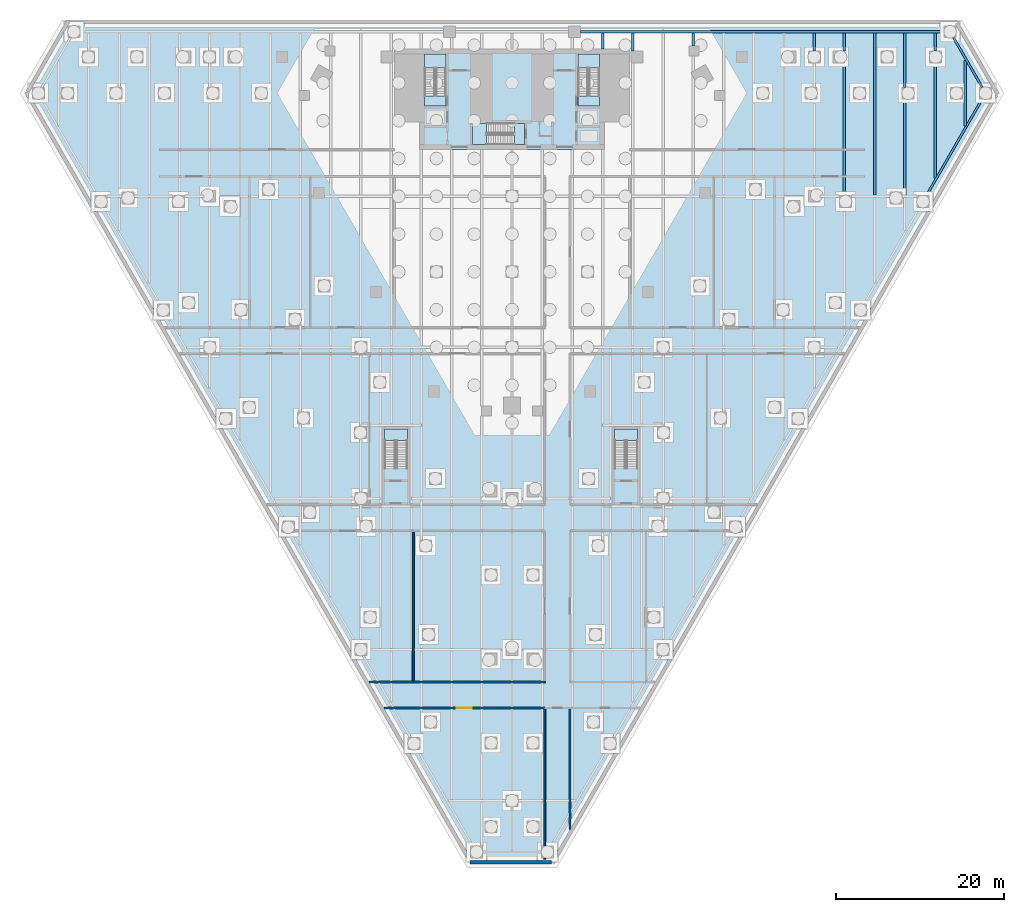
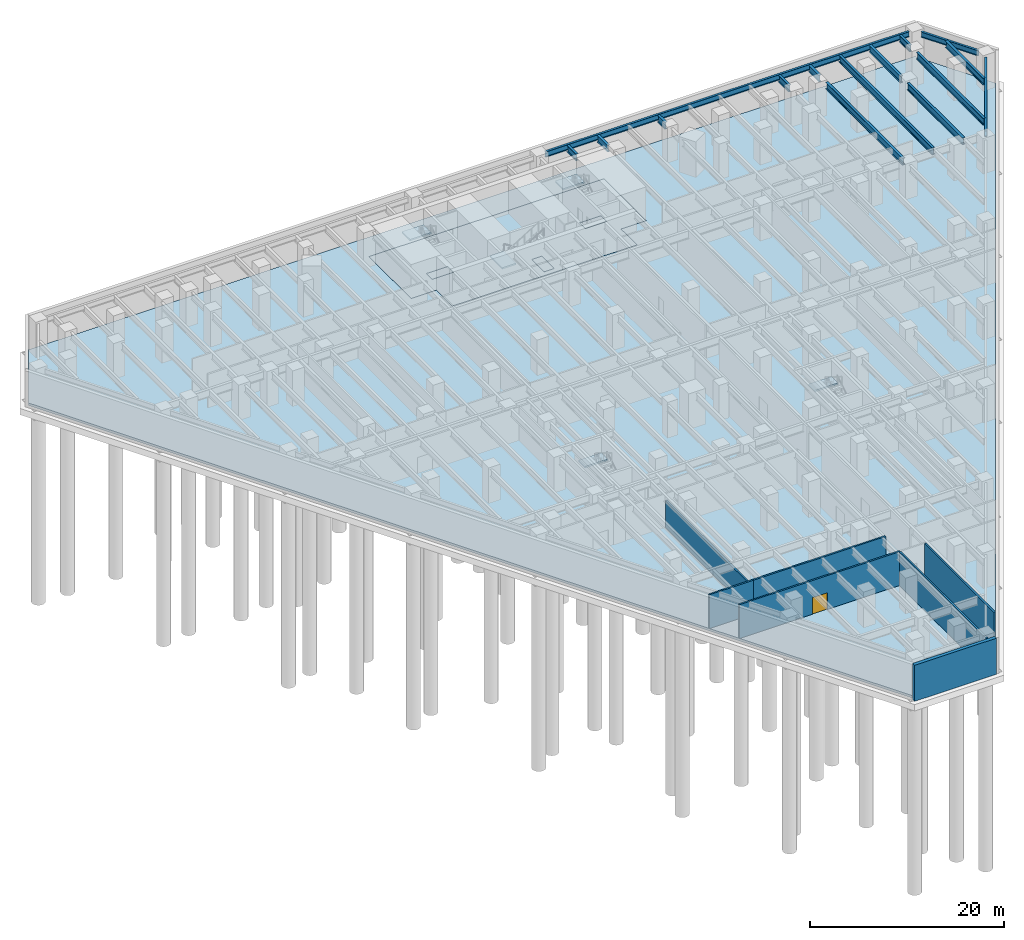
# One storey, part 6 of 18: 15 beams, 10 slabs, 7 walls, 1 door, 1 opening, 5 elements without a shape of their own.
"""IFC4 building model written with IfcOpenShell, lengths in metres."""

from ifc_helpers import new_model, si_unit, direction, frame, frame_2d, origin, origin_2d, place, context, subcontext, project, spatial, polyline, rectangle, i_section, outline, extrude, material, layer, layer_set, material_profile, profile_set, type_object, element, fill, aggregate, save


model = new_model("IFC4")

# Units and contexts
model_context = context("Model", 3, precision=1e-05, world=origin(), true_north=direction((0.0, 1.0)))
body_context = subcontext(model_context, "Body", "Model", "MODEL_VIEW")
ifc_project = project(units=[si_unit("LENGTHUNIT", "METRE"), si_unit("AREAUNIT", "SQUARE_METRE"), si_unit("VOLUMEUNIT", "CUBIC_METRE"), si_unit("PLANEANGLEUNIT", "RADIAN"), si_unit("MASSUNIT", "GRAM", prefix="KILO")], contexts=[model_context])

# Site, building, storey
site_placement = place(None, origin())
site = spatial("IfcSite", under=ifc_project, at=site_placement, CompositionType="ELEMENT")
building_placement = place(site_placement, origin())
building = spatial("IfcBuilding", under=site, at=building_placement, Name="Aloe Facet Convention Tower", CompositionType="ELEMENT")
storey_placement = place(building_placement, frame((0.0, 0.0, -9.0)))
storey = spatial("IfcBuildingStorey", under=building, at=storey_placement, Name="B2", CompositionType="ELEMENT", Elevation=-9.0)

# Beams
ifc_material_1 = material(Name="Steel S355", Category="steel")
ifc_material_profile_1 = material_profile(ifc_material_1, i_section(OverallWidth=0.25439453125, OverallDepth=0.6875, WebThickness=0.01318359375, FlangeThickness=0.02099609375, FilletRadius=0.01513671875, at=origin_2d()), Name="UB 686x254x152")
ifc_profile_set_1 = profile_set([ifc_material_profile_1], Name="Steel S355")
beam_type_1 = type_object("IfcBeamType", Name="SF-B-UB686x254x152", PredefinedType="BEAM", material=ifc_profile_set_1)
beam_1_placement = place(storey_placement, frame((88.156005859375, 136.60009765625, 3.90625), z_axis=(1.0, 0.0, 0.0), x_axis=(0.0, 1.0, 0.0)))
element("IfcBeam", 1, at=beam_1_placement, inside=storey, type_object=beam_type_1, Name="Floor beam FB-B1-012", PredefinedType="BEAM", context=body_context, shape_type="SweptSolid", body=[
    extrude(i_section(OverallWidth=0.25439453125, OverallDepth=0.6875, WebThickness=0.01318359375, FlangeThickness=0.02099609375, FilletRadius=0.01513671875, at=origin_2d()), origin(), (0.0, 0.0, 1.0), 43.3349609375),
])
beam_2_placement = place(storey_placement, frame((132.595458984375, 135.89990234375, 3.90625), z_axis=(0.499990572262, -0.866030846823, 0.0), x_axis=(0.866030846823, 0.499990572262, 0.0)))
element("IfcBeam", 2, at=beam_2_placement, inside=storey, type_object=beam_type_1, Name="Floor beam FB-B1-019", PredefinedType="BEAM", context=body_context, shape_type="SweptSolid", body=[
    extrude(i_section(OverallWidth=0.25439453125, OverallDepth=0.6875, WebThickness=0.01318359375, FlangeThickness=0.02099609375, FilletRadius=0.01513671875, at=origin_2d()), origin(), (0.0, 0.0, 1.0), 6.831298828125),
])
beam_3_placement = place(storey_placement, frame((136.0107421875, 128.583984375, 3.90625), z_axis=(-0.50000804238, -0.866020760464, 0.0), x_axis=(0.866020760464, -0.50000804238, 0.0)))
element("IfcBeam", 3, at=beam_3_placement, inside=storey, type_object=beam_type_1, Name="Floor beam FB-B1-020", PredefinedType="BEAM", context=body_context, shape_type="SweptSolid", body=[
    extrude(i_section(OverallWidth=0.25439453125, OverallDepth=0.6875, WebThickness=0.01318359375, FlangeThickness=0.02099609375, FilletRadius=0.01513671875, at=origin_2d()), origin(), (0.0, 0.0, 1.0), 13.295166015625),
])
ifc_material_2 = material(Name="Steel S355", Category="steel")
ifc_material_profile_2 = material_profile(ifc_material_2, i_section(OverallWidth=0.293701171875, OverallDepth=0.850830078125, WebThickness=0.01611328125, FlangeThickness=0.02685546875, FilletRadius=0.017822265625, at=origin_2d()), Name="UB 838x292x226")
ifc_profile_set_2 = profile_set([ifc_material_profile_2], Name="Steel S355")
beam_type_2 = type_object("IfcBeamType", Name="SF-B-UB838x292x226", PredefinedType="BEAM", material=ifc_profile_set_2)
beam_4_placement = place(storey_placement, frame((90.800048828125, 134.550048828125, 3.82470703125), z_axis=(0.0, 1.0, 0.0), x_axis=(-1.0, 0.0, 0.0)))
element("IfcBeam", 4, at=beam_4_placement, inside=storey, type_object=beam_type_2, Name="Floor beam FB-B1-149", PredefinedType="BEAM", context=body_context, shape_type="SweptSolid", body=[
    extrude(i_section(OverallWidth=0.293701171875, OverallDepth=0.850830078125, WebThickness=0.01611328125, FlangeThickness=0.02685546875, FilletRadius=0.017822265625, at=origin_2d()), origin(), (0.0, 0.0, 1.0), 1.91259765625),
])
beam_5_placement = place(storey_placement, frame((94.39990234375, 134.300048828125, 3.82470703125), z_axis=(0.0, 1.0, 0.0), x_axis=(-1.0, 0.0, 0.0)))
element("IfcBeam", 5, at=beam_5_placement, inside=storey, type_object=beam_type_2, Name="Floor beam FB-B1-156", PredefinedType="BEAM", context=body_context, shape_type="SweptSolid", body=[
    extrude(i_section(OverallWidth=0.293701171875, OverallDepth=0.850830078125, WebThickness=0.01611328125, FlangeThickness=0.02685546875, FilletRadius=0.017822265625, at=origin_2d()), origin(), (0.0, 0.0, 1.0), 2.16259765625),
])
beam_6_placement = place(storey_placement, frame((101.60009765625, 134.89990234375, 3.82470703125), z_axis=(0.0, 1.0, 0.0), x_axis=(-1.0, 0.0, 0.0)))
element("IfcBeam", 6, at=beam_6_placement, inside=storey, type_object=beam_type_2, Name="Floor beam FB-B1-168", PredefinedType="BEAM", context=body_context, shape_type="SweptSolid", body=[
    extrude(i_section(OverallWidth=0.293701171875, OverallDepth=0.850830078125, WebThickness=0.01611328125, FlangeThickness=0.02685546875, FilletRadius=0.017822265625, at=origin_2d()), origin(), (0.0, 0.0, 1.0), 1.562744140625),
])
beam_7_placement = place(storey_placement, frame((116.0, 134.300048828125, 3.82470703125), z_axis=(0.0, 1.0, 0.0), x_axis=(-1.0, 0.0, 0.0)))
element("IfcBeam", 7, at=beam_7_placement, inside=storey, type_object=beam_type_2, Name="Floor beam FB-B1-187", PredefinedType="BEAM", context=body_context, shape_type="SweptSolid", body=[
    extrude(i_section(OverallWidth=0.293701171875, OverallDepth=0.850830078125, WebThickness=0.01611328125, FlangeThickness=0.02685546875, FilletRadius=0.017822265625, at=origin_2d()), origin(), (0.0, 0.0, 1.0), 2.16259765625),
])
beam_8_placement = place(storey_placement, frame((119.60009765625, 117.0849609375, 3.82470703125), z_axis=(0.0, 1.0, 0.0), x_axis=(-1.0, 0.0, 0.0)))
element("IfcBeam", 8, at=beam_8_placement, inside=storey, type_object=beam_type_2, Name="Floor beam FB-B1-189", PredefinedType="BEAM", context=body_context, shape_type="SweptSolid", body=[
    extrude(i_section(OverallWidth=0.293701171875, OverallDepth=0.850830078125, WebThickness=0.01611328125, FlangeThickness=0.02685546875, FilletRadius=0.017822265625, at=origin_2d()), origin(), (0.0, 0.0, 1.0), 15.81494140625),
])
beam_9_placement = place(storey_placement, frame((119.60009765625, 134.300048828125, 3.82470703125), z_axis=(0.0, 1.0, 0.0), x_axis=(-1.0, 0.0, 0.0)))
element("IfcBeam", 9, at=beam_9_placement, inside=storey, type_object=beam_type_2, Name="Floor beam FB-B1-190", PredefinedType="BEAM", context=body_context, shape_type="SweptSolid", body=[
    extrude(i_section(OverallWidth=0.293701171875, OverallDepth=0.850830078125, WebThickness=0.01611328125, FlangeThickness=0.02685546875, FilletRadius=0.017822265625, at=origin_2d()), origin(), (0.0, 0.0, 1.0), 2.16259765625),
])
beam_10_placement = place(storey_placement, frame((123.199951171875, 117.152587890625, 3.82470703125), z_axis=(0.0, 1.0, 0.0), x_axis=(-1.0, 0.0, 0.0)))
element("IfcBeam", 10, at=beam_10_placement, inside=storey, type_object=beam_type_2, Name="Floor beam FB-B1-192", PredefinedType="BEAM", context=body_context, shape_type="SweptSolid", body=[
    extrude(i_section(OverallWidth=0.293701171875, OverallDepth=0.850830078125, WebThickness=0.01611328125, FlangeThickness=0.02685546875, FilletRadius=0.017822265625, at=origin_2d()), origin(), (0.0, 0.0, 1.0), 19.31005859375),
])
beam_11_placement = place(storey_placement, frame((126.800048828125, 117.152587890625, 3.82470703125), z_axis=(0.0, 1.0, 0.0), x_axis=(-1.0, 0.0, 0.0)))
element("IfcBeam", 11, at=beam_11_placement, inside=storey, type_object=beam_type_2, Name="Floor beam FB-B1-194", PredefinedType="BEAM", context=body_context, shape_type="SweptSolid", body=[
    extrude(i_section(OverallWidth=0.293701171875, OverallDepth=0.850830078125, WebThickness=0.01611328125, FlangeThickness=0.02685546875, FilletRadius=0.017822265625, at=origin_2d()), origin(), (0.0, 0.0, 1.0), 11.431396484375),
])
beam_12_placement = place(storey_placement, frame((126.800048828125, 129.98388671875, 3.82470703125), z_axis=(0.0, 1.0, 0.0), x_axis=(-1.0, 0.0, 0.0)))
element("IfcBeam", 12, at=beam_12_placement, inside=storey, type_object=beam_type_2, Name="Floor beam FB-B1-195", PredefinedType="BEAM", context=body_context, shape_type="SweptSolid", body=[
    extrude(i_section(OverallWidth=0.293701171875, OverallDepth=0.850830078125, WebThickness=0.01611328125, FlangeThickness=0.02685546875, FilletRadius=0.017822265625, at=origin_2d()), origin(), (0.0, 0.0, 1.0), 6.478759765625),
])
beam_13_placement = place(storey_placement, frame((130.39990234375, 119.13037109375, 3.82470703125), z_axis=(0.0, 1.0, 0.0), x_axis=(-1.0, 0.0, 0.0)))
element("IfcBeam", 13, at=beam_13_placement, inside=storey, type_object=beam_type_2, Name="Floor beam FB-B1-196", PredefinedType="BEAM", context=body_context, shape_type="SweptSolid", body=[
    extrude(i_section(OverallWidth=0.293701171875, OverallDepth=0.850830078125, WebThickness=0.01611328125, FlangeThickness=0.02685546875, FilletRadius=0.017822265625, at=origin_2d()), origin(), (0.0, 0.0, 1.0), 13.76953125),
])
beam_14_placement = place(storey_placement, frame((130.39990234375, 134.300048828125, 3.82470703125), z_axis=(0.0, 1.0, 0.0), x_axis=(-1.0, 0.0, 0.0)))
element("IfcBeam", 14, at=beam_14_placement, inside=storey, type_object=beam_type_2, Name="Floor beam FB-B1-197", PredefinedType="BEAM", context=body_context, shape_type="SweptSolid", body=[
    extrude(i_section(OverallWidth=0.293701171875, OverallDepth=0.850830078125, WebThickness=0.01611328125, FlangeThickness=0.02685546875, FilletRadius=0.017822265625, at=origin_2d()), origin(), (0.0, 0.0, 1.0), 2.16259765625),
])
beam_15_placement = place(storey_placement, frame((134.0, 125.36572265625, 3.82470703125), z_axis=(0.0, 1.0, 0.0), x_axis=(-1.0, 0.0, 0.0)))
element("IfcBeam", 15, at=beam_15_placement, inside=storey, type_object=beam_type_2, Name="Floor beam FB-B1-198", PredefinedType="BEAM", context=body_context, shape_type="SweptSolid", body=[
    extrude(i_section(OverallWidth=0.293701171875, OverallDepth=0.850830078125, WebThickness=0.01611328125, FlangeThickness=0.02685546875, FilletRadius=0.017822265625, at=origin_2d()), origin(), (0.0, 0.0, 1.0), 7.8369140625),
])

# Slabs
ifc_material_3 = material(Name="Concrete C80/95", Category="concrete")
ifc_layer_1 = layer(ifc_material_3, 0.300048828125)
ifc_layer_set_1 = layer_set([ifc_layer_1], Name="CR-S-FLOOR300-C8095")
slab_type_1 = type_object("IfcSlabType", Name="CR-S-FLOOR300-C8095", PredefinedType="FLOOR", material=ifc_layer_set_1)
slab_1_placement = place(storey_placement, frame((0.0, 0.0, -0.300048828125)))
element("IfcSlab", 16, at=slab_1_placement, inside=storey, type_object=slab_type_1, Name="Stair landing floor B2", PredefinedType="FLOOR", context=body_context, shape_type="SweptSolid", body=[
    extrude(outline(polyline([(72.14990234375, 127.75), (72.14990234375, 128.951171875), (69.60009765625, 128.951171875), (69.60009765625, 127.75), (72.14990234375, 127.75)])), origin(), (0.0, 0.0, 1.0), 0.300048828125),
])
slab_2_placement = place(storey_placement, frame((0.0, 0.0, -0.300048828125)))
element("IfcSlab", 17, at=slab_2_placement, inside=storey, type_object=slab_type_1, Name="Stair landing floor B2", PredefinedType="FLOOR", context=body_context, shape_type="SweptSolid", body=[
    extrude(outline(polyline([(90.39990234375, 127.75), (90.39990234375, 128.951171875), (87.85009765625, 128.951171875), (87.85009765625, 127.75), (90.39990234375, 127.75)])), origin(), (0.0, 0.0, 1.0), 0.300048828125),
])
slab_3_placement = place(storey_placement, frame((0.0, 0.0, -0.300048828125)))
element("IfcSlab", 18, at=slab_3_placement, inside=storey, type_object=slab_type_1, Name="Stair landing floor B2", PredefinedType="FLOOR", context=body_context, shape_type="SweptSolid", body=[
    extrude(outline(polyline([(81.5, 125.699951171875), (80.298828125, 125.699951171875), (80.298828125, 123.14990234375), (81.5, 123.14990234375), (81.5, 125.699951171875)])), origin(), (0.0, 0.0, 1.0), 0.300048828125),
])
slab_4_placement = place(storey_placement, frame((0.0, 0.0, -0.300048828125)))
element("IfcSlab", 19, at=slab_4_placement, inside=storey, type_object=slab_type_1, Name="Core floor B2", PredefinedType="FLOOR", context=body_context, shape_type="SweptSolid", body=[
    extrude(outline(polyline([(69.0, 134.550048828125), (69.300048828125, 134.550048828125), (71.85009765625, 134.550048828125), (72.75, 134.550048828125), (74.699951171875, 134.550048828125), (75.60009765625, 134.550048828125), (77.10009765625, 134.550048828125), (78.0, 134.550048828125), (82.0, 134.550048828125), (82.89990234375, 134.550048828125), (84.39990234375, 134.550048828125), (85.300048828125, 134.550048828125), (87.25, 134.550048828125), (88.14990234375, 134.550048828125), (90.699951171875, 134.550048828125), (91.0, 134.550048828125), (94.0, 134.550048828125), (94.0, 131.949951171875), (94.0, 131.050048828125), (94.0, 129.35009765625), (94.0, 128.449951171875), (94.0, 125.85009765625), (91.0, 125.85009765625), (91.0, 125.75), (91.0, 124.85009765625), (91.0, 122.550048828125), (88.14990234375, 122.550048828125), (87.25, 122.550048828125), (85.300048828125, 122.550048828125), (84.39990234375, 122.550048828125), (82.10009765625, 122.550048828125), (81.199951171875, 122.550048828125), (75.60009765625, 122.550048828125), (74.699951171875, 122.550048828125), (72.75, 122.550048828125), (71.85009765625, 122.550048828125), (69.0, 122.550048828125), (69.0, 124.85009765625), (69.0, 125.75), (69.0, 125.85009765625), (66.0, 125.85009765625), (66.0, 128.449951171875), (66.0, 129.35009765625), (66.0, 131.050048828125), (66.0, 131.949951171875), (66.0, 134.550048828125), (69.0, 134.550048828125)]), holes=[polyline([(81.5, 125.699951171875), (80.298828125, 125.699951171875), (80.298828125, 123.14990234375), (81.5, 123.14990234375), (81.5, 125.699951171875)]), polyline([(69.60009765625, 127.75), (72.14990234375, 127.75), (72.14990234375, 128.951171875), (69.60009765625, 128.951171875), (69.60009765625, 127.75)]), polyline([(87.85009765625, 127.75), (90.39990234375, 127.75), (90.39990234375, 128.951171875), (87.85009765625, 128.951171875), (87.85009765625, 127.75)])]), origin(), (0.0, 0.0, 1.0), 0.300048828125),
])

# Stair, slab
ifc_material_4 = material(Name="Concrete C50/60", Category="concrete")
stair_type_1 = type_object("IfcStairType", Name="CR-ST-26R", PredefinedType="HALF_TURN_STAIR", material=ifc_material_4)
stair_1_placement = place(storey_placement, origin())
stair_1 = element("IfcStair", 20, at=stair_1_placement, inside=storey, type_object=stair_type_1, Name="B2 Protected exit stair ST1", PredefinedType="HALF_TURN_STAIR")
ifc_material_5 = material(Name="Concrete C50/60", Category="concrete")
ifc_layer_2 = layer(ifc_material_5, 0.199951171875)
ifc_layer_set_2 = layer_set([ifc_layer_2], Name="CR-SL-LANDING")
slab_type_2 = type_object("IfcSlabType", Name="CR-SL-LANDING", PredefinedType="LANDING", material=ifc_layer_set_2)
slab_5_placement = place(storey_placement, frame((0.0, 0.0, 2.050048828125)))
slab_5 = element("IfcSlab", 21, at=slab_5_placement, type_object=slab_type_2, Name="ST1 landing 1", PredefinedType="LANDING", context=body_context, shape_type="SweptSolid", body=[
    extrude(outline(polyline([(72.14990234375, 132.31005859375), (72.14990234375, 133.949951171875), (69.60009765625, 133.949951171875), (69.60009765625, 132.31005859375), (72.14990234375, 132.31005859375)])), origin(), (0.0, 0.0, 1.0), 0.199951171875),
])
aggregate(stair_1, [slab_5])

stair_2_placement = place(storey_placement, origin())
stair_2 = element("IfcStair", 22, at=stair_2_placement, inside=storey, type_object=stair_type_1, Name="B2 Protected exit stair ST2", PredefinedType="HALF_TURN_STAIR")
slab_6_placement = place(storey_placement, frame((0.0, 0.0, 2.050048828125)))
slab_6 = element("IfcSlab", 23, at=slab_6_placement, type_object=slab_type_2, Name="ST2 landing 1", PredefinedType="LANDING", context=body_context, shape_type="SweptSolid", body=[
    extrude(outline(polyline([(90.39990234375, 132.31005859375), (90.39990234375, 133.949951171875), (87.85009765625, 133.949951171875), (87.85009765625, 132.31005859375), (90.39990234375, 132.31005859375)])), origin(), (0.0, 0.0, 1.0), 0.199951171875),
])
aggregate(stair_2, [slab_6])

stair_3_placement = place(storey_placement, origin())
stair_3 = element("IfcStair", 24, at=stair_3_placement, inside=storey, type_object=stair_type_1, Name="B2 Protected exit stair ST3", PredefinedType="HALF_TURN_STAIR")
slab_7_placement = place(storey_placement, frame((0.0, 0.0, 2.050048828125)))
slab_7 = element("IfcSlab", 25, at=slab_7_placement, type_object=slab_type_2, Name="ST3 landing 1", PredefinedType="LANDING", context=body_context, shape_type="SweptSolid", body=[
    extrude(outline(polyline([(76.93994140625, 125.699951171875), (75.300048828125, 125.699951171875), (75.300048828125, 123.14990234375), (76.93994140625, 123.14990234375), (76.93994140625, 125.699951171875)])), origin(), (0.0, 0.0, 1.0), 0.199951171875),
])
aggregate(stair_3, [slab_7])

ifc_material_6 = material(Name="Concrete C50/60", Category="concrete")
stair_type_2 = type_object("IfcStairType", Name="CR-ST-26R-W1300", PredefinedType="HALF_TURN_STAIR", material=ifc_material_6)
stair_4_placement = place(storey_placement, origin())
stair_4 = element("IfcStair", 26, at=stair_4_placement, inside=storey, type_object=stair_type_2, Name="B2 Protected exit stair ST6", PredefinedType="HALF_TURN_STAIR")
slab_8_placement = place(storey_placement, frame((0.0, 0.0, 2.050048828125)))
slab_8 = element("IfcSlab", 27, at=slab_8_placement, type_object=slab_type_2, Name="ST6 landing 1", PredefinedType="LANDING", context=body_context, shape_type="SweptSolid", body=[
    extrude(outline(polyline([(94.97509765625, 87.909912109375), (94.97509765625, 89.25), (92.22509765625, 89.25), (92.22509765625, 87.909912109375), (94.97509765625, 87.909912109375)])), origin(), (0.0, 0.0, 1.0), 0.199951171875),
])
aggregate(stair_4, [slab_8])

stair_5_placement = place(storey_placement, origin())
stair_5 = element("IfcStair", 28, at=stair_5_placement, inside=storey, type_object=stair_type_2, Name="B2 Protected exit stair ST7", PredefinedType="HALF_TURN_STAIR")
slab_9_placement = place(storey_placement, frame((0.0, 0.0, 2.050048828125)))
slab_9 = element("IfcSlab", 29, at=slab_9_placement, type_object=slab_type_2, Name="ST7 landing 1", PredefinedType="LANDING", context=body_context, shape_type="SweptSolid", body=[
    extrude(outline(polyline([(67.550048828125, 87.909912109375), (67.550048828125, 89.25), (64.800048828125, 89.25), (64.800048828125, 87.909912109375), (67.550048828125, 87.909912109375)])), origin(), (0.0, 0.0, 1.0), 0.199951171875),
])
aggregate(stair_5, [slab_9])

# Slab
ifc_material_7 = material(Name="Concrete C35/45", Category="concrete")
ifc_layer_3 = layer(ifc_material_7, 0.300048828125)
ifc_layer_set_3 = layer_set([ifc_layer_3], Name="SF-GS-300")
slab_type_3 = type_object("IfcSlabType", Name="SF-GS-300", PredefinedType="BASESLAB", material=ifc_layer_set_3)
slab_10_placement = place(storey_placement, frame((0.0, 0.0, -0.300048828125)))
element("IfcSlab", 30, at=slab_10_placement, inside=storey, type_object=slab_type_3, Name="Floor slab B2-1", PredefinedType="BASESLAB", context=body_context, shape_type="SweptSolid", body=[
    extrude(outline(polyline([(84.801025390625, 37.88623046875), (75.198974609375, 37.88623046875), (22.430419921875, 129.2841796875), (27.2314453125, 137.60009765625), (132.7685546875, 137.60009765625), (137.569580078125, 129.2841796875), (84.801025390625, 37.88623046875)]), holes=[polyline([(66.0, 131.949951171875), (66.0, 131.050048828125), (66.0, 129.35009765625), (66.0, 128.449951171875), (66.0, 125.85009765625), (69.0, 125.85009765625), (69.0, 125.75), (69.0, 124.85009765625), (69.0, 122.550048828125), (71.85009765625, 122.550048828125), (72.75, 122.550048828125), (74.699951171875, 122.550048828125), (75.60009765625, 122.550048828125), (81.199951171875, 122.550048828125), (82.10009765625, 122.550048828125), (84.39990234375, 122.550048828125), (85.300048828125, 122.550048828125), (87.25, 122.550048828125), (88.14990234375, 122.550048828125), (91.0, 122.550048828125), (91.0, 124.85009765625), (91.0, 125.75), (91.0, 125.85009765625), (94.0, 125.85009765625), (94.0, 128.449951171875), (94.0, 129.35009765625), (94.0, 131.050048828125), (94.0, 131.949951171875), (94.0, 134.550048828125), (91.0, 134.550048828125), (90.699951171875, 134.550048828125), (88.14990234375, 134.550048828125), (87.25, 134.550048828125), (85.300048828125, 134.550048828125), (84.39990234375, 134.550048828125), (82.89990234375, 134.550048828125), (82.0, 134.550048828125), (78.0, 134.550048828125), (77.10009765625, 134.550048828125), (75.60009765625, 134.550048828125), (74.699951171875, 134.550048828125), (72.75, 134.550048828125), (71.85009765625, 134.550048828125), (69.300048828125, 134.550048828125), (69.0, 134.550048828125), (66.0, 134.550048828125), (66.0, 131.949951171875)])]), origin(), (0.0, 0.0, 1.0), 0.300048828125),
])

# Wall
ifc_material_8 = material(Name="Masonry blockwork wall, plastered", Category="masonry")
ifc_layer_4 = layer(ifc_material_8, 0.199951171875)
ifc_layer_set_4 = layer_set([ifc_layer_4], Name="IN-POD-W-PLANT")
wall_type_1 = type_object("IfcWallType", Name="IN-POD-W-PLANT", PredefinedType="PARTITIONING", material=ifc_layer_set_4)
wall_1_placement = place(storey_placement, frame((83.89990234375, 38.0400390625, 0.0), z_axis=(0.0, 0.0, 1.0), x_axis=(0.0, 1.0, 0.0)))
element("IfcWall", 31, at=wall_1_placement, inside=storey, type_object=wall_type_1, Name="Partition B2-W001", PredefinedType="PARTITIONING", context=body_context, shape_type="SweptSolid", body=[
    extrude(rectangle(XDim=17.925048828125, YDim=0.199951171875, at=frame_2d((8.96240234375, 0.0))), origin(), (0.0, 0.0, 1.0), 4.25),
])

# Wall, opening, door
wall_2_placement = place(storey_placement, frame((64.769775390625, 56.050048828125, 0.0), z_axis=(0.0, 0.0, 1.0), x_axis=(1.0, 0.0, 0.0)))
wall_2 = element("IfcWall", 32, at=wall_2_placement, inside=storey, type_object=wall_type_1, Name="Partition B2-W002", PredefinedType="PARTITIONING", context=body_context, shape_type="SweptSolid", body=[
    extrude(rectangle(XDim=19.130126953125, YDim=0.199951171875, at=frame_2d((9.56494140625, 0.0))), origin(), (0.0, 0.0, 1.0), 4.25),
])
opening_placement = place(wall_2_placement, frame((8.6650390625, 0.0, 0.0)))
opening = element("IfcOpeningElement", 33, at=opening_placement, cuts=wall_2, Name="Opening B2-019", PredefinedType="OPENING", context=body_context, shape_type="SweptSolid", body=[
    extrude(rectangle(XDim=1.800048828125, YDim=2.10009765625, at=frame_2d((0.89990234375, 1.050048828125))), frame((0.0, 0.10986328125, 0.0), z_axis=(0.0, -1.0, 0.0), x_axis=(1.0, 0.0, 0.0)), (0.0, 0.0, 1.0), 0.219970703125),
])
ifc_material_9 = material(Name="Steel flush door pair, galvanised", Category="steel")
door_type = type_object("IfcDoorType", Name="IN-POD-D-PLANTPAIR", OperationType="DOUBLE_DOOR_SINGLE_SWING", PredefinedType="DOOR", material=ifc_material_9)
door_placement = place(opening_placement, origin())
door = element("IfcDoor", 34, at=door_placement, inside=storey, type_object=door_type, Name="Door B2-019", OperationType="SINGLE_SWING_LEFT", OverallHeight=2.10009765625, OverallWidth=1.800048828125, PredefinedType="DOOR", context=body_context, shape_type="SweptSolid", body=[
    extrude(rectangle(XDim=1.800048828125, YDim=2.10009765625, at=frame_2d((0.89990234375, 1.050048828125))), frame((0.0, 0.02490234375, 0.0), z_axis=(0.0, -1.0, 0.0), x_axis=(1.0, 0.0, 0.0)), (0.0, 0.0, 1.0), 0.050048828125),
])
fill(opening, door)

# Walls
wall_3_placement = place(storey_placement, frame((86.89990234375, 41.62158203125, 0.0), z_axis=(0.0, 0.0, 1.0), x_axis=(0.0, 1.0, 0.0)))
element("IfcWall", 35, at=wall_3_placement, inside=storey, type_object=wall_type_1, Name="Partition B2-W004", PredefinedType="PARTITIONING", context=body_context, shape_type="SweptSolid", body=[
    extrude(rectangle(XDim=14.343505859375, YDim=0.199951171875, at=frame_2d((7.171875, 0.0))), origin(), (0.0, 0.0, 1.0), 4.25),
])
wall_4_placement = place(storey_placement, frame((62.97998046875, 59.14990234375, 0.0), z_axis=(0.0, 0.0, 1.0), x_axis=(1.0, 0.0, 0.0)))
element("IfcWall", 36, at=wall_4_placement, inside=storey, type_object=wall_type_1, Name="Partition B2-W006", PredefinedType="PARTITIONING", context=body_context, shape_type="SweptSolid", body=[
    extrude(rectangle(XDim=5.263916015625, YDim=0.199951171875, at=frame_2d((2.6318359375, 0.0))), origin(), (0.0, 0.0, 1.0), 4.25),
])
wall_5_placement = place(storey_placement, frame((68.243896484375, 59.235107421875, 0.0), z_axis=(0.0, 0.0, 1.0), x_axis=(0.0, 1.0, 0.0)))
element("IfcWall", 37, at=wall_5_placement, inside=storey, type_object=wall_type_1, Name="Partition B2-W007", PredefinedType="PARTITIONING", context=body_context, shape_type="SweptSolid", body=[
    extrude(rectangle(XDim=17.829833984375, YDim=0.199951171875, at=frame_2d((8.9150390625, 0.0))), origin(), (0.0, 0.0, 1.0), 3.38916015625),
])
wall_6_placement = place(storey_placement, frame((68.243896484375, 59.14990234375, 0.0), z_axis=(0.0, 0.0, 1.0), x_axis=(1.0, 0.0, 0.0)))
element("IfcWall", 38, at=wall_6_placement, inside=storey, type_object=wall_type_1, Name="Partition B2-W008", PredefinedType="PARTITIONING", context=body_context, shape_type="SweptSolid", body=[
    extrude(rectangle(XDim=15.731201171875, YDim=0.199951171875, at=frame_2d((7.86572265625, 0.0))), origin(), (0.0, 0.0, 1.0), 4.25),
])
ifc_material_10 = material(Name="Concrete C40/50", Category="concrete")
ifc_layer_5 = layer(ifc_material_10, 0.39990234375)
ifc_layer_set_5 = layer_set([ifc_layer_5], Name="SF-RW-400")
wall_type_2 = type_object("IfcWallType", Name="SF-RW-400", PredefinedType="SOLIDWALL", material=ifc_layer_set_5)
wall_7_placement = place(storey_placement, frame((84.691650390625, 37.686279296875, -0.300048828125), z_axis=(0.0, 0.0, 1.0), x_axis=(-1.0, 0.0, 0.0)))
element("IfcWall", 39, at=wall_7_placement, inside=storey, type_object=wall_type_2, Name="RETAINING WALL B2-02", PredefinedType="SOLIDWALL", context=body_context, shape_type="SweptSolid", body=[
    extrude(rectangle(XDim=9.7236328125, YDim=0.39990234375, at=frame_2d((4.86181640625, 0.0))), origin(), (0.0, 0.0, 1.0), 4.550048828125),
])

save(model, "model.ifc")
